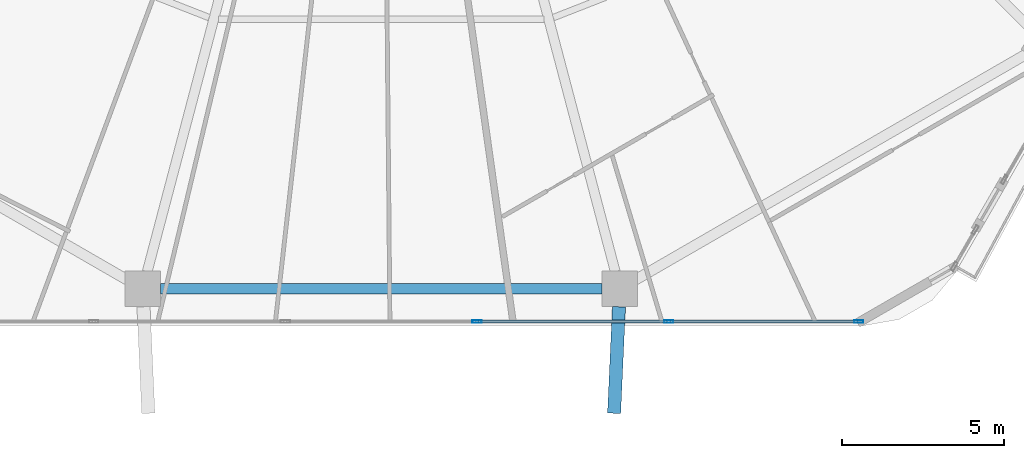
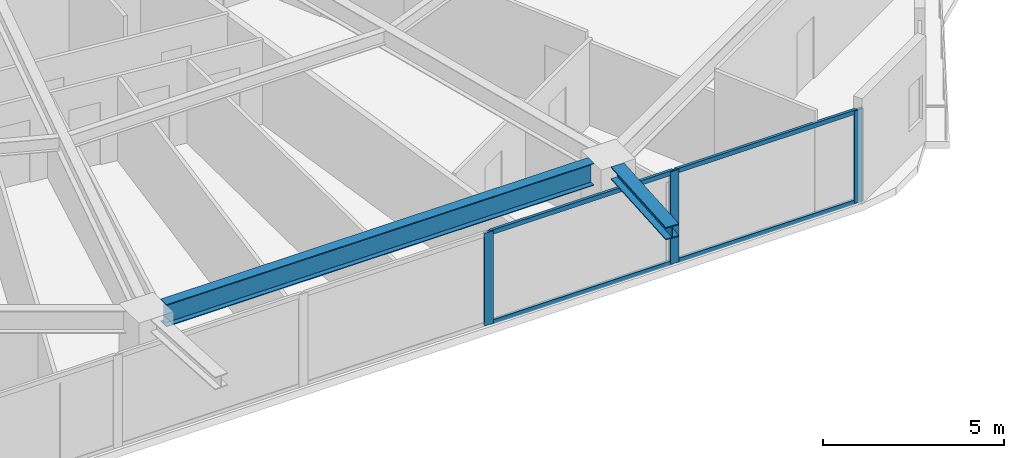
# One storey, part 7 of 33: 7 members, 2 beams, 1 element without a shape of its own.
"""IFC4 building model written with IfcOpenShell, lengths in metres."""

from ifc_helpers import new_model, si_unit, direction, frame, origin, origin_2d, place, context, subcontext, project, spatial, hollow_rectangle, i_section, extrude, material, material_profile, profile_set, type_object, element, aggregate, save


model = new_model("IFC4")

# Units and contexts
model_context = context("Model", 3, precision=1e-05, world=origin(), true_north=direction((0.0, 1.0)))
body_context = subcontext(model_context, "Body", "Model", "MODEL_VIEW")
ifc_project = project(units=[si_unit("LENGTHUNIT", "METRE"), si_unit("AREAUNIT", "SQUARE_METRE"), si_unit("VOLUMEUNIT", "CUBIC_METRE"), si_unit("PLANEANGLEUNIT", "RADIAN"), si_unit("MASSUNIT", "GRAM", prefix="KILO")], contexts=[model_context])

# Site, building, storey
site_placement = place(None, origin())
site = spatial("IfcSite", under=ifc_project, at=site_placement, CompositionType="ELEMENT")
building_placement = place(site_placement, origin())
building = spatial("IfcBuilding", under=site, at=building_placement, Name="Zuhravey Tower", CompositionType="ELEMENT")
storey_placement = place(building_placement, frame((0.0, 0.0, 96.199951171875)))
storey = spatial("IfcBuildingStorey", under=building, at=storey_placement, Name="L23", CompositionType="ELEMENT", Elevation=96.199951171875)

# Curtain wall, members
ifc_material_1 = material(Name="Thermally broken anodised aluminium", Category="aluminium")
curtain_wall_type = type_object("IfcCurtainWallType", Name="Zone 1-2 Residential Curtain Wall CW3", PredefinedType="NOTDEFINED", material=ifc_material_1)
curtain_wall_placement = place(storey_placement, origin())
curtain_wall = element("IfcCurtainWall", 1, at=curtain_wall_placement, inside=storey, type_object=curtain_wall_type, Name="L23 CW3 CW-L23-F5-1", PredefinedType="NOTDEFINED")
ifc_material_2 = material(Name="Anodised aluminium", Category="aluminium")
ifc_material_profile_1 = material_profile(ifc_material_2, hollow_rectangle(XDim=0.090087890625, YDim=0.284912109375, WallThickness=0.0048828125, at=origin_2d()), Name="ALU-RHS-90x285x5")
ifc_profile_set_1 = profile_set([ifc_material_profile_1], Name="Anodised aluminium")
member_type_1 = type_object("IfcMemberType", Name="Curtain-Wall Mullion 90x180", PredefinedType="MULLION", material=ifc_profile_set_1)
member_1_placement = place(storey_placement, frame((50.75439453125, 3.04150390625, 0.0), z_axis=(0.0, 0.0, 1.0), x_axis=(0.0, -1.0, 0.0)))
member_1 = element("IfcMember", 2, at=member_1_placement, type_object=member_type_1, Name="CW3 mullion 1", PredefinedType="MULLION", context=body_context, shape_type="SweptSolid", body=[
    extrude(hollow_rectangle(XDim=0.090087890625, YDim=0.284912109375, WallThickness=0.0048828125, at=origin_2d()), origin(), (0.0, 0.0, 1.0), 3.1220703125),
])
member_2_placement = place(storey_placement, frame((44.879638671875, 3.04150390625, 0.0), z_axis=(0.0, 0.0, 1.0), x_axis=(0.0, -1.0, 0.0)))
member_2 = element("IfcMember", 3, at=member_2_placement, type_object=member_type_1, Name="CW3 mullion 2", PredefinedType="MULLION", context=body_context, shape_type="SweptSolid", body=[
    extrude(hollow_rectangle(XDim=0.090087890625, YDim=0.284912109375, WallThickness=0.0048828125, at=origin_2d()), origin(), (0.0, 0.0, 1.0), 3.1220703125),
])
member_3_placement = place(storey_placement, frame((38.9599609375, 3.04150390625, 0.0), z_axis=(0.0, 0.0, 1.0), x_axis=(0.0, -1.0, 0.0)))
member_3 = element("IfcMember", 4, at=member_3_placement, type_object=member_type_1, Name="CW3 mullion 3", PredefinedType="MULLION", context=body_context, shape_type="SweptSolid", body=[
    extrude(hollow_rectangle(XDim=0.090087890625, YDim=0.284912109375, WallThickness=0.0048828125, at=origin_2d()), origin(), (0.0, 0.0, 1.0), 3.1220703125),
])
ifc_material_profile_2 = material_profile(ifc_material_2, hollow_rectangle(XDim=0.090087890625, YDim=0.14990234375, WallThickness=0.0048828125, at=origin_2d()), Name="ALU-RHS-90x150x5")
ifc_profile_set_2 = profile_set([ifc_material_profile_2], Name="Anodised aluminium")
member_type_2 = type_object("IfcMemberType", Name="Curtain-Wall Transom 90x150", PredefinedType="USERDEFINED", material=ifc_profile_set_2)
member_4_placement = place(storey_placement, frame((50.70947265625, 3.04150390625, 0.045166015625), z_axis=(-1.0, 0.0, 0.0), x_axis=(0.0, -1.0, 0.0)))
member_4 = element("IfcMember", 5, at=member_4_placement, type_object=member_type_2, Name="CW3 transom 1.1", ObjectType="TRANSOM", PredefinedType="USERDEFINED", context=body_context, shape_type="SweptSolid", body=[
    extrude(hollow_rectangle(XDim=0.090087890625, YDim=0.14990234375, WallThickness=0.0048828125, at=origin_2d()), origin(), (0.0, 0.0, 1.0), 5.78466796875),
])
member_5_placement = place(storey_placement, frame((50.70947265625, 3.04150390625, 3.0771484375), z_axis=(-1.0, 0.0, 0.0), x_axis=(0.0, -1.0, 0.0)))
member_5 = element("IfcMember", 6, at=member_5_placement, type_object=member_type_2, Name="CW3 transom 1.2", ObjectType="TRANSOM", PredefinedType="USERDEFINED", context=body_context, shape_type="SweptSolid", body=[
    extrude(hollow_rectangle(XDim=0.090087890625, YDim=0.14990234375, WallThickness=0.0048828125, at=origin_2d()), origin(), (0.0, 0.0, 1.0), 5.78466796875),
])
member_6_placement = place(storey_placement, frame((44.834716796875, 3.04150390625, 0.045166015625), z_axis=(-1.0, 0.0, 0.0), x_axis=(0.0, -1.0, 0.0)))
member_6 = element("IfcMember", 7, at=member_6_placement, type_object=member_type_2, Name="CW3 transom 2.1", ObjectType="TRANSOM", PredefinedType="USERDEFINED", context=body_context, shape_type="SweptSolid", body=[
    extrude(hollow_rectangle(XDim=0.090087890625, YDim=0.14990234375, WallThickness=0.0048828125, at=origin_2d()), origin(), (0.0, 0.0, 1.0), 5.829833984375),
])
member_7_placement = place(storey_placement, frame((44.834716796875, 3.04150390625, 3.0771484375), z_axis=(-1.0, 0.0, 0.0), x_axis=(0.0, -1.0, 0.0)))
member_7 = element("IfcMember", 8, at=member_7_placement, type_object=member_type_2, Name="CW3 transom 2.2", ObjectType="TRANSOM", PredefinedType="USERDEFINED", context=body_context, shape_type="SweptSolid", body=[
    extrude(hollow_rectangle(XDim=0.090087890625, YDim=0.14990234375, WallThickness=0.0048828125, at=origin_2d()), origin(), (0.0, 0.0, 1.0), 5.829833984375),
])
aggregate(curtain_wall, [member_1, member_2, member_3, member_4, member_5, member_6, member_7])

# Beams
ifc_material_3 = material(Name="Steel SM460", Category="steel")
ifc_material_profile_3 = material_profile(ifc_material_3, i_section(OverallWidth=0.406982421875, OverallDepth=0.427978515625, WebThickness=0.02001953125, FlangeThickness=0.034912109375, at=origin_2d()), Name="H-428x407x20x35")
ifc_profile_set_3 = profile_set([ifc_material_profile_3], Name="Steel SM460")
beam_type_1 = type_object("IfcBeamType", Name="Exoskeleton Node Tie Beam H428x407", PredefinedType="BEAM", material=ifc_profile_set_3)
beam_1_placement = place(storey_placement, frame((43.3447265625, 3.49755859375, 3.3359375), z_axis=(-0.04557573776, -0.998960886185, 0.0), x_axis=(0.998960886185, -0.04557573776, 0.0)))
element("IfcBeam", 9, at=beam_1_placement, inside=storey, type_object=beam_type_1, Name="L23 Exoskeleton Node Tie NT1-10", PredefinedType="BEAM", context=body_context, shape_type="SweptSolid", body=[
    extrude(i_section(OverallWidth=0.406982421875, OverallDepth=0.427978515625, WebThickness=0.02001953125, FlangeThickness=0.034912109375, at=origin_2d()), origin(), (0.0, 0.0, 1.0), 3.29443359375),
])
ifc_material_4 = material(Name="Steel SM355", Category="steel")
ifc_material_profile_4 = material_profile(ifc_material_4, i_section(OverallWidth=0.320068359375, OverallDepth=0.75, WebThickness=0.013916015625, FlangeThickness=0.02490234375, at=origin_2d()), Name="H-750x320x14x25")
ifc_profile_set_4 = profile_set([ifc_material_profile_4], Name="Steel SM355")
beam_type_2 = type_object("IfcBeamType", Name="Perimeter Ring Beam H750x320", PredefinedType="BEAM", material=ifc_profile_set_4)
beam_2_placement = place(storey_placement, frame((29.18310546875, 4.051513671875, 3.175048828125), z_axis=(1.0, 0.0, 0.0), x_axis=(0.0, 1.0, 0.0)))
element("IfcBeam", 10, at=beam_2_placement, inside=storey, type_object=beam_type_2, Name="L23 PB1 BM-L23-PB-09", PredefinedType="BEAM", context=body_context, shape_type="SweptSolid", body=[
    extrude(i_section(OverallWidth=0.320068359375, OverallDepth=0.75, WebThickness=0.013916015625, FlangeThickness=0.02490234375, at=origin_2d()), origin(), (0.0, 0.0, 1.0), 13.6337890625),
])

save(model, "model.ifc")
